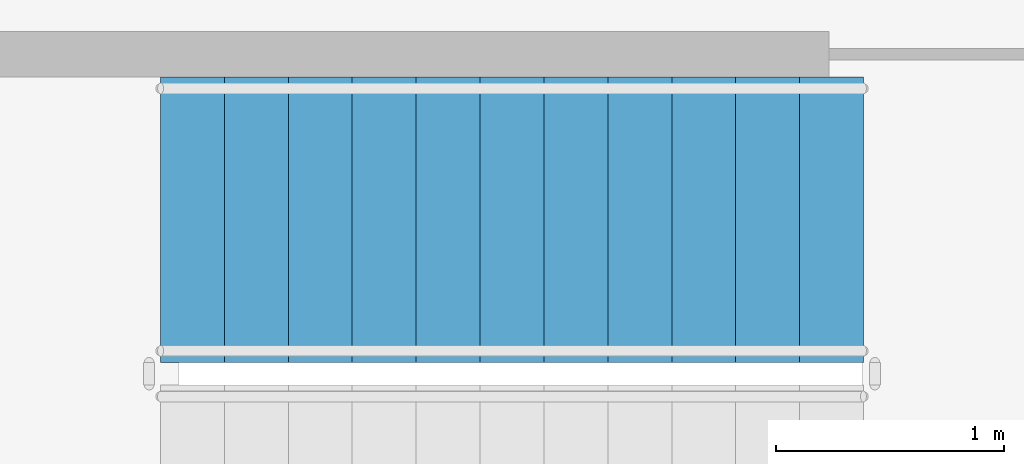
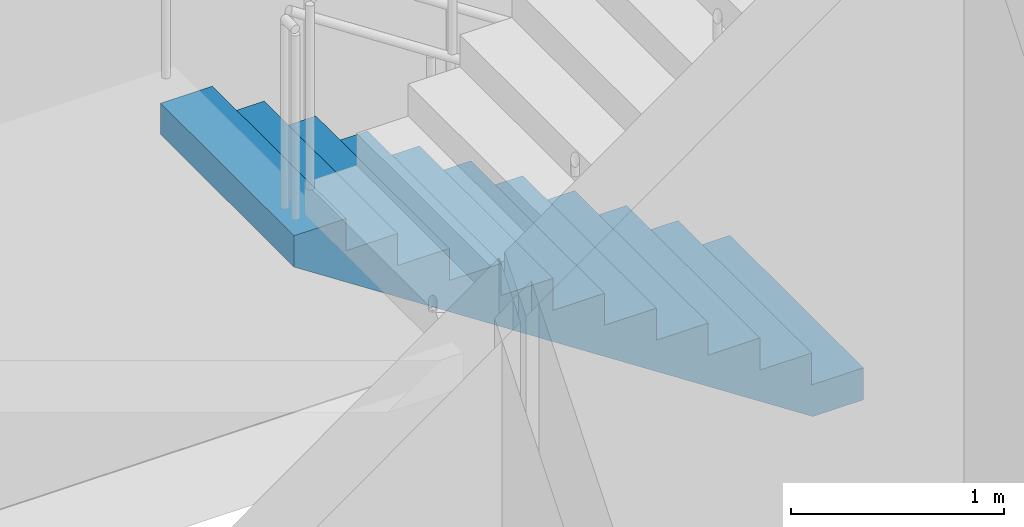
# One storey, part 16 of 19: 1 stair flight, 1 element without a shape of its own.
"""IFC4 building model written with IfcOpenShell, lengths in metres."""

from ifc_helpers import new_model, si_unit, direction, frame, origin, place, context, subcontext, project, spatial, line, indexed_curve, outline, extrude, material, type_object, element, aggregate, save


model = new_model("IFC4")

# Units and contexts
model_context = context("Model", 3, precision=1e-05, world=origin(), true_north=direction((0.0, 1.0)))
body_context = subcontext(model_context, "Body", "Model", "MODEL_VIEW")
ifc_project = project(units=[si_unit("LENGTHUNIT", "METRE"), si_unit("AREAUNIT", "SQUARE_METRE"), si_unit("VOLUMEUNIT", "CUBIC_METRE"), si_unit("PLANEANGLEUNIT", "RADIAN"), si_unit("MASSUNIT", "GRAM", prefix="KILO")], contexts=[model_context])

# Site, building, storey
site_placement = place(None, origin())
site = spatial("IfcSite", under=ifc_project, at=site_placement, CompositionType="ELEMENT")
building_placement = place(site_placement, origin())
building = spatial("IfcBuilding", under=site, at=building_placement, Name="Spindrift Exchange Tower", CompositionType="ELEMENT")
storey_placement = place(building_placement, frame((0.0, 0.0, 22.60009765625)))
storey = spatial("IfcBuildingStorey", under=building, at=storey_placement, Name="L05", CompositionType="ELEMENT", Elevation=22.60009765625)

# Stair, stair flight
ifc_material = material(Name="Concrete 50 MPa", Category="concrete")
stair_type = type_object("IfcStairType", Name="ST-1250-R183", PredefinedType="HALF_TURN_STAIR", material=ifc_material)
stair_placement = place(storey_placement, origin())
stair = element("IfcStair", 1, at=stair_placement, inside=storey, type_object=stair_type, Name="L05 Exit stair ST1", PredefinedType="HALF_TURN_STAIR")
stair_flight_type = type_object("IfcStairFlightType", Name="STF-1250-R183", PredefinedType="STRAIGHT", material=ifc_material)
stair_flight_placement = place(storey_placement, frame((49.050048828125, 54.47509765625, 0.0), z_axis=(0.0, 0.0, 1.0), x_axis=(-1.0, 0.0, 0.0)))
stair_flight = element("IfcStairFlight", 2, at=stair_flight_placement, type_object=stair_flight_type, Name="ST1 flight 1", NumberOfRisers=12, NumberOfTreads=11, PredefinedType="STRAIGHT", RiserHeight=0.183333333, TreadLength=0.28, context=body_context, shape_type="SweptSolid", body=[
    extrude(outline(indexed_curve([(0.0, 0.0), (0.0, 0.18359375), (0.2802734375, 0.18359375), (0.2802734375, 0.3662109375), (0.5595703125, 0.3662109375), (0.5595703125, 0.5498046875), (0.83984375, 0.5498046875), (0.83984375, 0.7333984375), (1.1201171875, 0.7333984375), (1.1201171875, 0.9169921875), (1.400390625, 0.9169921875), (1.400390625, 1.099609375), (1.6796875, 1.099609375), (1.6796875, 1.283203125), (1.9599609375, 1.283203125), (1.9599609375, 1.466796875), (2.240234375, 1.466796875), (2.240234375, 1.650390625), (2.51953125, 1.650390625), (2.51953125, 1.8330078125), (2.7998046875, 1.8330078125), (2.7998046875, 2.0166015625), (3.080078125, 2.0166015625), (3.080078125, 2.2001953125), (3.080078125, 1.837890625), (0.2734375, 0.0)], segments=[line(1, 2, 3, 4, 5, 6, 7, 8, 9, 10, 11, 12, 13, 14, 15, 16, 17, 18, 19, 20, 21, 22, 23, 24, 25, 26, 1)], self_intersect=False)), frame((0.0, 0.625, 0.0), z_axis=(0.0, -1.0, 0.0), x_axis=(1.0, 0.0, 0.0)), (0.0, 0.0, 1.0), 1.25),
])
aggregate(stair, [stair_flight])

save(model, "model.ifc")
